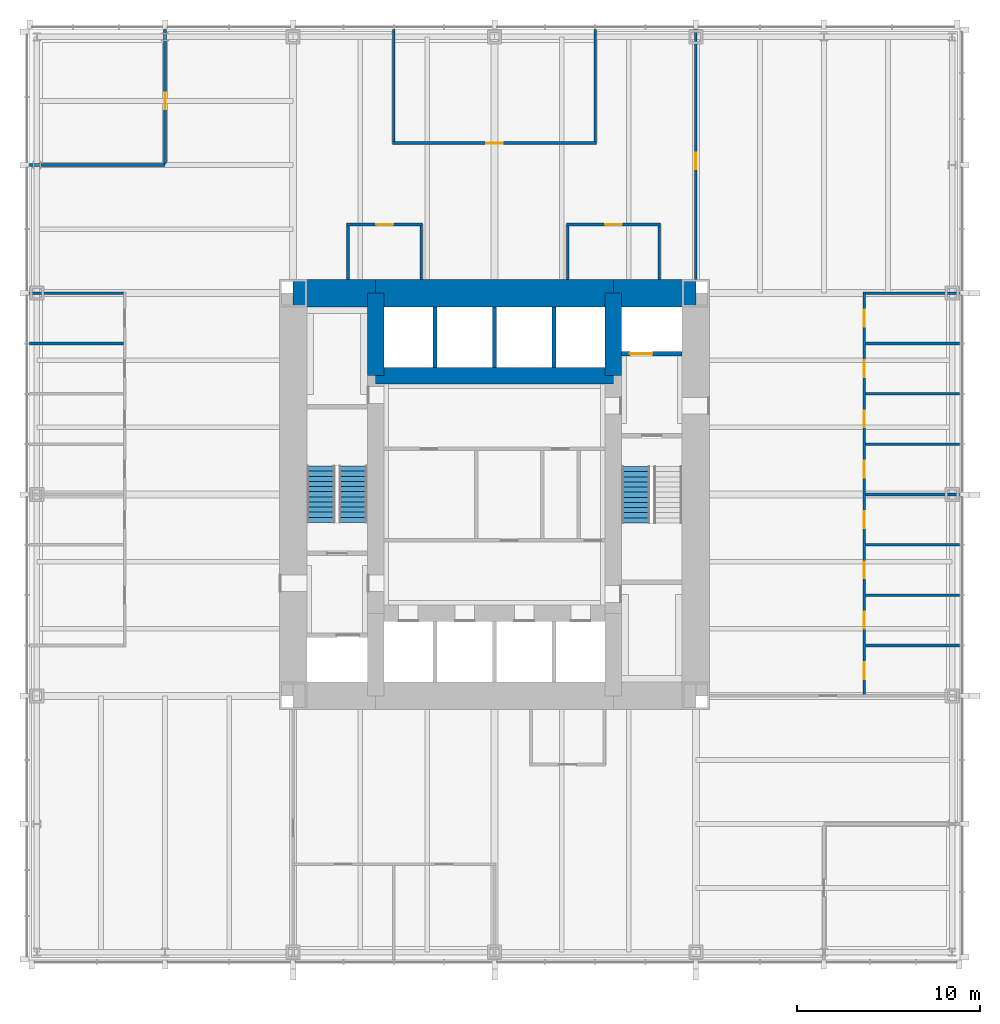
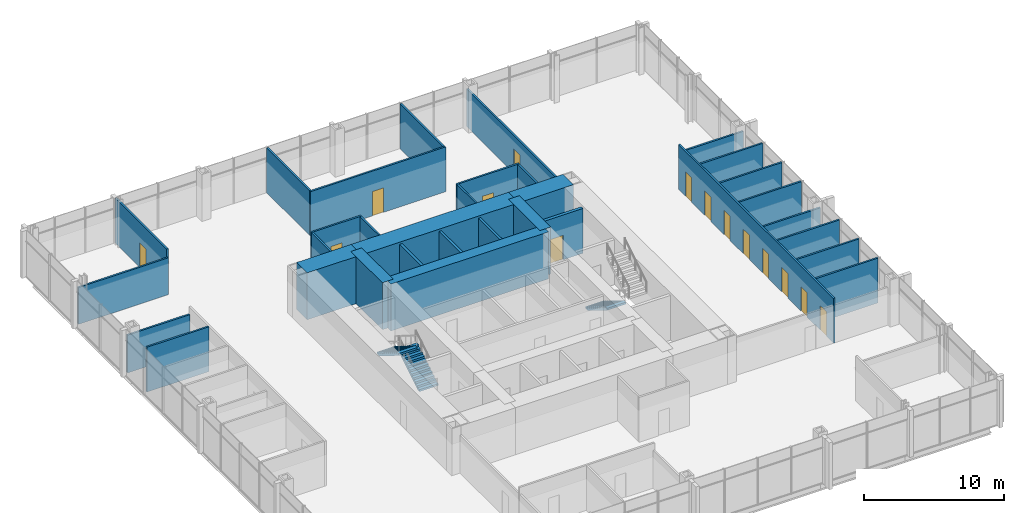
# One storey, part 11 of 13: 33 walls, 14 doors, 3 stair flights, 14 openings, 2 elements without a shape of their own.
"""IFC4 building model written with IfcOpenShell, lengths in metres."""

import ifcopenshell
import ifcopenshell.guid

model = None  # the IFC model being written
_history = None  # IfcOwnerHistory: only IFC2X3 demands one
_inside = {}  # id of a spatial element -> (the spatial element, [elements in it])
_under = {}  # id of a project, library or spatial element -> (it, [spatial elements below it])
_declared = {}  # id of a project -> (the project, [libraries it declares])
_typed = {}  # id of a type object -> (the type object, [elements of that type])
_made_of = {}  # id of a material, layer set ... -> (it, [elements and type objects made of it])


def new_model(schema):
    """Start an empty IFC model of exactly this schema.

    Asked for "IFC4X3", IfcOpenShell would pick the latest addendum, in which some entities
    have other attributes; the version numbers below select the first issue.
    IFC2X3 requires an IfcOwnerHistory on every rooted entity: one is made here for all.
    """
    global model, _history
    if schema == "IFC4X3":
        model = ifcopenshell.file(schema_version=(4, 3, 0, 0))
    else:
        model = ifcopenshell.file(schema=schema)
    _inside.clear()
    _under.clear()
    _declared.clear()
    _typed.clear()
    _made_of.clear()
    _history = None
    if model.schema == "IFC2X3":
        org = make("IfcOrganization", Name="unknown")
        user = make(
            "IfcPersonAndOrganization",
            ThePerson=make("IfcPerson", FamilyName="unknown"),
            TheOrganization=org,
        )
        app = make(
            "IfcApplication",
            ApplicationDeveloper=org,
            Version="unknown",
            ApplicationFullName="unknown",
            ApplicationIdentifier="unknown",
        )
        _history = make(
            "IfcOwnerHistory",
            OwningUser=user,
            OwningApplication=app,
            ChangeAction="ADDED",
            CreationDate=0,
        )
    return model


def make(cls, **values):
    """One entity of the class cls with the attributes given. An attribute that is None is left unset."""
    return model.create_entity(
        cls, **{name: value for name, value in values.items() if value is not None}
    )


def rooted(cls, **values):
    """An entity with a GlobalId (a new one), such as an element, a storey or a relation."""
    return make(cls, GlobalId=ifcopenshell.guid.new(), OwnerHistory=_history, **values)


def si_unit(unit_type, name, prefix=None):
    """IfcSIUnit, for example si_unit("LENGTHUNIT", "METRE", prefix="MILLI")."""
    return make("IfcSIUnit", UnitType=unit_type, Prefix=prefix, Name=name)


def assignment(units):
    """IfcUnitAssignment: the units of a project."""
    return None if units is None else make("IfcUnitAssignment", Units=units)


def point(xyz):
    """IfcCartesianPoint."""
    return None if xyz is None else make("IfcCartesianPoint", Coordinates=xyz)


def direction(xyz):
    """IfcDirection."""
    return None if xyz is None else make("IfcDirection", DirectionRatios=xyz)


def frame(location, z_axis=None, x_axis=None):
    """IfcAxis2Placement3D, a coordinate frame: its origin and axes. An axis left out is left unset."""
    return make(
        "IfcAxis2Placement3D",
        Location=point(location),
        Axis=direction(z_axis),
        RefDirection=direction(x_axis),
    )


def frame_2d(location, x_axis=None):
    """IfcAxis2Placement2D, a coordinate frame in the plane: its origin and x axis."""
    return make(
        "IfcAxis2Placement2D", Location=point(location), RefDirection=direction(x_axis)
    )


def origin():
    """The frame at (0, 0, 0) with its axes left unset."""
    return frame((0.0, 0.0, 0.0))


def place(relative_to, where):
    """IfcLocalPlacement: puts the frame where relative to a parent placement (None: the world)."""
    return make(
        "IfcLocalPlacement", PlacementRelTo=relative_to, RelativePlacement=where
    )


def context(
    kind, dimensions, precision=None, world=None, true_north=None, identifier=None
):
    """IfcGeometricRepresentationContext, for example the 3D "Model" context."""
    return make(
        "IfcGeometricRepresentationContext",
        ContextIdentifier=identifier,
        ContextType=kind,
        CoordinateSpaceDimension=dimensions,
        Precision=precision,
        WorldCoordinateSystem=world,
        TrueNorth=true_north,
    )


def subcontext(parent, identifier, kind, view, scale=None):
    """IfcGeometricRepresentationSubContext, for example "Body" below "Model"."""
    return make(
        "IfcGeometricRepresentationSubContext",
        ContextIdentifier=identifier,
        ContextType=kind,
        ParentContext=parent,
        TargetScale=scale,
        TargetView=view,
    )


def project(units=None, contexts=None):
    """IfcProject with its units and contexts."""
    return rooted(
        "IfcProject",
        Name="project",
        RepresentationContexts=contexts,
        UnitsInContext=assignment(units),
    )


def spatial(cls, under=None, at=None, **own):
    """A site, building, storey or space (cls), placed at a placement, below another one or the project."""
    s = rooted(cls, ObjectPlacement=at, **own)
    if under is not None:
        _under.setdefault(under.id(), (under, []))[1].append(s)
    return s


def polyline(points):
    """IfcPolyline through the points."""
    return make("IfcPolyline", Points=[point(p) for p in points])


def profile(cls, at=None, kind="AREA", **sizes):
    """A parametric profile (cls). Its sizes go by their IFC names, for example OverallWidth=200.0."""
    return make(cls, ProfileType=kind, Position=at, **sizes)


def rectangle(**sizes):
    """IfcRectangleProfileDef."""
    return profile("IfcRectangleProfileDef", **sizes)


def outline(outer, holes=None, kind="AREA"):
    """IfcArbitraryClosedProfileDef: a profile drawn as a closed curve; with holes, ...WithVoids."""
    if holes is None:
        return make("IfcArbitraryClosedProfileDef", ProfileType=kind, OuterCurve=outer)
    return make(
        "IfcArbitraryProfileDefWithVoids",
        ProfileType=kind,
        OuterCurve=outer,
        InnerCurves=holes,
    )


def extrude(swept, where, along, depth):
    """IfcExtrudedAreaSolid: the profile swept, set in the frame where, extruded along a direction by depth."""
    return make(
        "IfcExtrudedAreaSolid",
        SweptArea=swept,
        Position=where,
        ExtrudedDirection=direction(along),
        Depth=depth,
    )


def shape(context_of_items, identifier, shape_type, items):
    """IfcShapeRepresentation: the items that make up one representation, for example the "Body"."""
    return make(
        "IfcShapeRepresentation",
        ContextOfItems=context_of_items,
        RepresentationIdentifier=identifier,
        RepresentationType=shape_type,
        Items=items,
    )


def material(Name=None, Category=None):
    """IfcMaterial."""
    return make("IfcMaterial", Name=Name, Category=Category)


def layer(
    of_material, thickness, ventilated=None, Name=None, Category=None, Priority=None
):
    """IfcMaterialLayer: one layer of a wall or slab, of a material (None: an air gap)."""
    return make(
        "IfcMaterialLayer",
        Material=of_material,
        LayerThickness=thickness,
        IsVentilated=ventilated,
        Name=Name,
        Category=Category,
        Priority=Priority,
    )


def layer_set(layers, Name=None):
    """IfcMaterialLayerSet."""
    return make("IfcMaterialLayerSet", MaterialLayers=layers, LayerSetName=Name)


def made_of(thing, what):
    """Note that an element or type object is made of a material, layer set ...; save() writes the relation."""
    if what is not None:
        _made_of.setdefault(what.id(), (what, []))[1].append(thing)
    return thing


def type_object(cls, material=None, **own):
    """A type object (cls), such as IfcWallType, which elements share."""
    return made_of(rooted(cls, **own), material)


def element(
    cls,
    number,
    at=None,
    inside=None,
    cuts=None,
    type_object=None,
    material=None,
    context=None,
    identifier="Body",
    shape_type=None,
    held_by="IfcProductDefinitionShape",
    body=None,
    shapes=None,
    **own,
):
    """One element of the class cls, such as IfcWall. Its Tag is "e" and its number.

    at: its placement. inside: the storey or other place that contains it. cuts: it is an
    opening in that element (IfcRelVoidsElement). A single representation is given by context,
    identifier, shape_type and body (its items); several are given by shapes. held_by: the class
    of the entity that holds the representations. save() writes the other relations.
    """
    e = rooted(cls, Tag="e%d" % number, ObjectPlacement=at, **own)
    if body is not None:
        shapes = [shape(context, identifier, shape_type, body)]
    if shapes is not None:
        e.Representation = make(held_by, Representations=shapes)
    if inside is not None:
        _inside.setdefault(inside.id(), (inside, []))[1].append(e)
    if cuts is not None:
        rooted(
            "IfcRelVoidsElement", RelatingBuildingElement=cuts, RelatedOpeningElement=e
        )
    if type_object is not None:
        _typed.setdefault(type_object.id(), (type_object, []))[1].append(e)
    return made_of(e, material)


def fill(opening, filler):
    """IfcRelFillsElement: the door or window that sits in an opening."""
    return rooted(
        "IfcRelFillsElement",
        RelatingOpeningElement=opening,
        RelatedBuildingElement=filler,
    )


def aggregate(whole, parts):
    """IfcRelAggregates: a whole, such as a stair, and the parts it consists of."""
    return rooted("IfcRelAggregates", RelatingObject=whole, RelatedObjects=parts)


def save(model, path):
    """Write the relations noted so far, then the file.

    IfcRelAggregates (storeys below a building ...), IfcRelContainedInSpatialStructure (elements
    in a storey), IfcRelDefinesByType, IfcRelAssociatesMaterial and IfcRelDeclares: one each for
    every whole, place, type object, material and project.
    """
    for whole, parts in _under.values():
        aggregate(whole, parts)
    for where, things in _inside.values():
        rooted(
            "IfcRelContainedInSpatialStructure",
            RelatedElements=things,
            RelatingStructure=where,
        )
    for kind, things in _typed.values():
        rooted("IfcRelDefinesByType", RelatedObjects=things, RelatingType=kind)
    for what, things in _made_of.values():
        rooted("IfcRelAssociatesMaterial", RelatedObjects=things, RelatingMaterial=what)
    for by, libraries in _declared.values():
        rooted("IfcRelDeclares", RelatingContext=by, RelatedDefinitions=libraries)
    model.write(path)


model = new_model("IFC4")

# Units and contexts
model_context = context("Model", 3, precision=1e-05, world=origin(), true_north=direction((0.0, 1.0)))
body_context = subcontext(model_context, "Body", "Model", "MODEL_VIEW")
ifc_project = project(units=[si_unit("LENGTHUNIT", "METRE"), si_unit("AREAUNIT", "SQUARE_METRE"), si_unit("VOLUMEUNIT", "CUBIC_METRE"), si_unit("PLANEANGLEUNIT", "RADIAN"), si_unit("MASSUNIT", "GRAM", prefix="KILO")], contexts=[model_context])

# Site, building, storey
site_placement = place(None, origin())
site = spatial("IfcSite", under=ifc_project, at=site_placement, CompositionType="ELEMENT")
building_placement = place(site_placement, origin())
building = spatial("IfcBuilding", under=site, at=building_placement, Name="Trevanion Tower", CompositionType="ELEMENT")
storey_placement = place(building_placement, frame((0.0, 0.0, 85.699951171875)))
storey = spatial("IfcBuildingStorey", under=building, at=storey_placement, Name="L20", CompositionType="ELEMENT", Elevation=85.699951171875)

# Walls
ifc_material_1 = material(Name="Concrete 10,000 psi", Category="concrete")
ifc_layer_1 = layer(ifc_material_1, 1.5)
ifc_layer_set_1 = layer_set([ifc_layer_1], Name="CW1 core wall 1500")
wall_type_1 = type_object("IfcWallType", Name="CW1 core wall 1500", PredefinedType="SHEAR", material=ifc_layer_set_1)
wall_1_placement = place(storey_placement, frame((11.0, 11.0, 0.0), z_axis=(0.0, 0.0, 1.0), x_axis=(-1.0, 0.0, 0.0)))
element("IfcWall", 1, at=wall_1_placement, inside=storey, type_object=wall_type_1, Name="CW1 CN1 L20", PredefinedType="SHEAR", context=body_context, shape_type="SweptSolid", body=[
    extrude(rectangle(XDim=4.5, YDim=1.5, at=frame_2d((2.25, 0.0))), origin(), (0.0, 0.0, 1.0), 4.10009765625),
])
wall_2_placement = place(storey_placement, frame((6.5, 11.0, 0.0), z_axis=(0.0, 0.0, 1.0), x_axis=(-1.0, 0.0, 0.0)))
element("IfcWall", 2, at=wall_2_placement, inside=storey, type_object=wall_type_1, Name="CW1 CN2 L20", PredefinedType="SHEAR", context=body_context, shape_type="SweptSolid", body=[
    extrude(rectangle(XDim=13.0, YDim=1.5, at=frame_2d((6.5, 0.0))), origin(), (0.0, 0.0, 1.0), 4.10009765625),
])
wall_3_placement = place(storey_placement, frame((-6.5, 11.0, 0.0), z_axis=(0.0, 0.0, 1.0), x_axis=(-1.0, 0.0, 0.0)))
element("IfcWall", 3, at=wall_3_placement, inside=storey, type_object=wall_type_1, Name="CW1 CN3 L20", PredefinedType="SHEAR", context=body_context, shape_type="SweptSolid", body=[
    extrude(rectangle(XDim=4.5, YDim=1.5, at=frame_2d((2.25, 0.0))), origin(), (0.0, 0.0, 1.0), 4.10009765625),
])
ifc_material_2 = material(Name="Concrete 10,000 psi", Category="concrete")
ifc_layer_2 = layer(ifc_material_2, 0.89990234375)
ifc_layer_set_2 = layer_set([ifc_layer_2], Name="CW2 core wall 900")
wall_type_2 = type_object("IfcWallType", Name="CW2 core wall 900", PredefinedType="SHEAR", material=ifc_layer_set_2)
for number, where, z_axis, x_axis, name in (
    (4, (6.5, 6.5, 0.0), (0.0, 0.0, 1.0), (0.0, 1.0, 0.0), "CW2 RE3 L20"),
    (5, (-6.5, 11.0, 0.0), (0.0, 0.0, 1.0), (0.0, -1.0, 0.0), "CW2 RW1 L20"),
):
    element("IfcWall", number, at=place(storey_placement, frame(where, z_axis=z_axis, x_axis=x_axis)), inside=storey, type_object=wall_type_2, Name=name, PredefinedType="SHEAR", context=body_context, shape_type="SweptSolid", body=[
        extrude(rectangle(XDim=4.5, YDim=0.89990234375, at=frame_2d((2.25, 0.0))), origin(), (0.0, 0.0, 1.0), 4.10009765625),
    ])
wall_4_placement = place(storey_placement, frame((6.5, 6.5, 0.0), z_axis=(0.0, 0.0, 1.0), x_axis=(-1.0, 0.0, 0.0)))
element("IfcWall", 6, at=wall_4_placement, inside=storey, type_object=wall_type_2, Name="CW2 RN L20", PredefinedType="SHEAR", context=body_context, shape_type="SweptSolid", body=[
    extrude(rectangle(XDim=13.0, YDim=0.89990234375, at=frame_2d((6.5, 0.0))), origin(), (0.0, 0.0, 1.0), 4.10009765625),
])

# Wall, opening, door
ifc_material_3 = material(Name="Gypsum board on steel studs", Category="steel")
ifc_layer_3 = layer(ifc_material_3, 0.14990234375)
ifc_layer_set_3 = layer_set([ifc_layer_3], Name="PT1 partition 150")
wall_type_3 = type_object("IfcWallType", Name="PT1 partition 150", PredefinedType="PARTITIONING", material=ifc_layer_set_3)
wall_5_placement = place(storey_placement, frame((11.0, 11.75, 0.0), z_axis=(0.0, 0.0, 1.0), x_axis=(0.0, 1.0, 0.0)))
wall_5 = element("IfcWall", 7, at=wall_5_placement, inside=storey, type_object=wall_type_3, Name="PT1 L20 ZW0", PredefinedType="PARTITIONING", context=body_context, shape_type="SweptSolid", body=[
    extrude(rectangle(XDim=13.6650390625, YDim=0.14990234375, at=frame_2d((6.83251953125, 0.0))), origin(), (0.0, 0.0, 1.0), 3.300537109375),
])
opening_1_placement = place(wall_5_placement, frame((6.017578125, 0.0, 0.0)))
opening_1 = element("IfcOpeningElement", 8, at=opening_1_placement, cuts=wall_5, Name="Opening 20-019", PredefinedType="OPENING", context=body_context, shape_type="SweptSolid", body=[
    extrude(rectangle(XDim=0.9150390625, YDim=2.134033203125, at=frame_2d((0.45751953125, 1.06689453125))), frame((0.0, 0.0849609375, 0.0), z_axis=(0.0, -1.0, 0.0), x_axis=(1.0, 0.0, 0.0)), (0.0, 0.0, 1.0), 0.169921875),
])
ifc_material_4 = material(Name="Timber veneer, solid core", Category="wood")
door_type_1 = type_object("IfcDoorType", Name="D1 office and meeting room door", OperationType="SINGLE_SWING_LEFT", PredefinedType="DOOR", material=ifc_material_4)
door_1_placement = place(opening_1_placement, origin())
door_1 = element("IfcDoor", 9, at=door_1_placement, inside=storey, type_object=door_type_1, Name="Door 20-019", OperationType="SINGLE_SWING_LEFT", OverallHeight=2.134033203125, OverallWidth=0.9150390625, PredefinedType="DOOR", context=body_context, shape_type="SweptSolid", body=[
    extrude(rectangle(XDim=0.9150390625, YDim=2.134033203125, at=frame_2d((0.45751953125, 1.06689453125))), frame((0.0, 0.02490234375, 0.0), z_axis=(0.0, -1.0, 0.0), x_axis=(1.0, 0.0, 0.0)), (0.0, 0.0, 1.0), 0.050048828125),
])
fill(opening_1, door_1)

# Wall
wall_6_placement = place(storey_placement, frame((-18.0, 18.0, 0.0), z_axis=(0.0, 0.0, 1.0), x_axis=(-1.0, 0.0, 0.0)))
element("IfcWall", 10, at=wall_6_placement, inside=storey, type_object=wall_type_3, Name="PT1 L20 KW1a", PredefinedType="PARTITIONING", context=body_context, shape_type="SweptSolid", body=[
    extrude(rectangle(XDim=7.4150390625, YDim=0.14990234375, at=frame_2d((3.70751953125, 0.0))), origin(), (0.0, 0.0, 1.0), 3.214111328125),
])

# Wall, opening, door
wall_7_placement = place(storey_placement, frame((-18.0, 18.074951171875, 0.0), z_axis=(0.0, 0.0, 1.0), x_axis=(0.0, 1.0, 0.0)))
wall_7 = element("IfcWall", 11, at=wall_7_placement, inside=storey, type_object=wall_type_3, Name="PT1 L20 KW1b", PredefinedType="PARTITIONING", context=body_context, shape_type="SweptSolid", body=[
    extrude(rectangle(XDim=7.340087890625, YDim=0.14990234375, at=frame_2d((3.669921875, 0.0))), origin(), (0.0, 0.0, 1.0), 3.91015625),
])
opening_2_placement = place(wall_7_placement, frame((2.967529296875, 0.0, 0.0)))
opening_2 = element("IfcOpeningElement", 12, at=opening_2_placement, cuts=wall_7, Name="Opening 20-022", PredefinedType="OPENING", context=body_context, shape_type="SweptSolid", body=[
    extrude(rectangle(XDim=0.9150390625, YDim=2.134033203125, at=frame_2d((0.45751953125, 1.06689453125))), frame((0.0, 0.0849609375, 0.0), z_axis=(0.0, -1.0, 0.0), x_axis=(1.0, 0.0, 0.0)), (0.0, 0.0, 1.0), 0.169921875),
])
door_2_placement = place(opening_2_placement, origin())
door_2 = element("IfcDoor", 13, at=door_2_placement, inside=storey, type_object=door_type_1, Name="Door 20-022", OperationType="SINGLE_SWING_LEFT", OverallHeight=2.134033203125, OverallWidth=0.9150390625, PredefinedType="DOOR", context=body_context, shape_type="SweptSolid", body=[
    extrude(rectangle(XDim=0.9150390625, YDim=2.134033203125, at=frame_2d((0.45751953125, 1.06689453125))), frame((0.0, 0.02490234375, 0.0), z_axis=(0.0, -1.0, 0.0), x_axis=(1.0, 0.0, 0.0)), (0.0, 0.0, 1.0), 0.050048828125),
])
fill(opening_2, door_2)

# Wall, openings, doors
wall_8_placement = place(storey_placement, frame((20.199951171875, -11.074951171875, 0.0), z_axis=(0.0, 0.0, 1.0), x_axis=(0.0, 1.0, 0.0)))
wall_8 = element("IfcWall", 14, at=wall_8_placement, inside=storey, type_object=wall_type_3, Name="PT1 L20 FC0F", PredefinedType="PARTITIONING", context=body_context, shape_type="SweptSolid", body=[
    extrude(rectangle(XDim=22.14990234375, YDim=0.14990234375, at=frame_2d((11.074951171875, 0.0))), origin(), (0.0, 0.0, 1.0), 3.91015625),
])
opening_3_placement = place(wall_8_placement, frame((0.992431640625, 0.0, 0.0)))
opening_3 = element("IfcOpeningElement", 15, at=opening_3_placement, cuts=wall_8, Name="Opening 20-024", PredefinedType="OPENING", context=body_context, shape_type="SweptSolid", body=[
    extrude(rectangle(XDim=0.9150390625, YDim=2.134033203125, at=frame_2d((0.45751953125, 1.06689453125))), frame((0.0, 0.0849609375, 0.0), z_axis=(0.0, -1.0, 0.0), x_axis=(1.0, 0.0, 0.0)), (0.0, 0.0, 1.0), 0.169921875),
])
opening_4_placement = place(wall_8_placement, frame((3.742431640625, 0.0, 0.0)))
opening_4 = element("IfcOpeningElement", 16, at=opening_4_placement, cuts=wall_8, Name="Opening 20-025", PredefinedType="OPENING", context=body_context, shape_type="SweptSolid", body=[
    extrude(rectangle(XDim=0.9150390625, YDim=2.134033203125, at=frame_2d((0.45751953125, 1.06689453125))), frame((0.0, 0.0849609375, 0.0), z_axis=(0.0, -1.0, 0.0), x_axis=(1.0, 0.0, 0.0)), (0.0, 0.0, 1.0), 0.169921875),
])
opening_5_placement = place(wall_8_placement, frame((6.492431640625, 0.0, 0.0)))
opening_5 = element("IfcOpeningElement", 17, at=opening_5_placement, cuts=wall_8, Name="Opening 20-026", PredefinedType="OPENING", context=body_context, shape_type="SweptSolid", body=[
    extrude(rectangle(XDim=0.9150390625, YDim=2.134033203125, at=frame_2d((0.45751953125, 1.06689453125))), frame((0.0, 0.0849609375, 0.0), z_axis=(0.0, -1.0, 0.0), x_axis=(1.0, 0.0, 0.0)), (0.0, 0.0, 1.0), 0.169921875),
])
opening_6_placement = place(wall_8_placement, frame((9.242431640625, 0.0, 0.0)))
opening_6 = element("IfcOpeningElement", 18, at=opening_6_placement, cuts=wall_8, Name="Opening 20-027", PredefinedType="OPENING", context=body_context, shape_type="SweptSolid", body=[
    extrude(rectangle(XDim=0.9150390625, YDim=2.134033203125, at=frame_2d((0.45751953125, 1.06689453125))), frame((0.0, 0.0849609375, 0.0), z_axis=(0.0, -1.0, 0.0), x_axis=(1.0, 0.0, 0.0)), (0.0, 0.0, 1.0), 0.169921875),
])
opening_7_placement = place(wall_8_placement, frame((11.992431640625, 0.0, 0.0)))
opening_7 = element("IfcOpeningElement", 19, at=opening_7_placement, cuts=wall_8, Name="Opening 20-028", PredefinedType="OPENING", context=body_context, shape_type="SweptSolid", body=[
    extrude(rectangle(XDim=0.9150390625, YDim=2.134033203125, at=frame_2d((0.45751953125, 1.06689453125))), frame((0.0, 0.0849609375, 0.0), z_axis=(0.0, -1.0, 0.0), x_axis=(1.0, 0.0, 0.0)), (0.0, 0.0, 1.0), 0.169921875),
])
opening_8_placement = place(wall_8_placement, frame((14.742431640625, 0.0, 0.0)))
opening_8 = element("IfcOpeningElement", 20, at=opening_8_placement, cuts=wall_8, Name="Opening 20-029", PredefinedType="OPENING", context=body_context, shape_type="SweptSolid", body=[
    extrude(rectangle(XDim=0.9150390625, YDim=2.134033203125, at=frame_2d((0.45751953125, 1.06689453125))), frame((0.0, 0.0849609375, 0.0), z_axis=(0.0, -1.0, 0.0), x_axis=(1.0, 0.0, 0.0)), (0.0, 0.0, 1.0), 0.169921875),
])
opening_9_placement = place(wall_8_placement, frame((17.492431640625, 0.0, 0.0)))
opening_9 = element("IfcOpeningElement", 21, at=opening_9_placement, cuts=wall_8, Name="Opening 20-030", PredefinedType="OPENING", context=body_context, shape_type="SweptSolid", body=[
    extrude(rectangle(XDim=0.9150390625, YDim=2.134033203125, at=frame_2d((0.45751953125, 1.06689453125))), frame((0.0, 0.0849609375, 0.0), z_axis=(0.0, -1.0, 0.0), x_axis=(1.0, 0.0, 0.0)), (0.0, 0.0, 1.0), 0.169921875),
])
opening_10_placement = place(wall_8_placement, frame((20.242431640625, 0.0, 0.0)))
opening_10 = element("IfcOpeningElement", 22, at=opening_10_placement, cuts=wall_8, Name="Opening 20-031", PredefinedType="OPENING", context=body_context, shape_type="SweptSolid", body=[
    extrude(rectangle(XDim=0.9150390625, YDim=2.134033203125, at=frame_2d((0.45751953125, 1.06689453125))), frame((0.0, 0.0849609375, 0.0), z_axis=(0.0, -1.0, 0.0), x_axis=(1.0, 0.0, 0.0)), (0.0, 0.0, 1.0), 0.169921875),
])
door_3_placement = place(opening_3_placement, origin())
door_3 = element("IfcDoor", 23, at=door_3_placement, inside=storey, type_object=door_type_1, Name="Door 20-024", OperationType="SINGLE_SWING_LEFT", OverallHeight=2.134033203125, OverallWidth=0.9150390625, PredefinedType="DOOR", context=body_context, shape_type="SweptSolid", body=[
    extrude(rectangle(XDim=0.9150390625, YDim=2.134033203125, at=frame_2d((0.45751953125, 1.06689453125))), frame((0.0, 0.02490234375, 0.0), z_axis=(0.0, -1.0, 0.0), x_axis=(1.0, 0.0, 0.0)), (0.0, 0.0, 1.0), 0.050048828125),
])
fill(opening_3, door_3)
door_4_placement = place(opening_4_placement, origin())
door_4 = element("IfcDoor", 24, at=door_4_placement, inside=storey, type_object=door_type_1, Name="Door 20-025", OperationType="SINGLE_SWING_LEFT", OverallHeight=2.134033203125, OverallWidth=0.9150390625, PredefinedType="DOOR", context=body_context, shape_type="SweptSolid", body=[
    extrude(rectangle(XDim=0.9150390625, YDim=2.134033203125, at=frame_2d((0.45751953125, 1.06689453125))), frame((0.0, 0.02490234375, 0.0), z_axis=(0.0, -1.0, 0.0), x_axis=(1.0, 0.0, 0.0)), (0.0, 0.0, 1.0), 0.050048828125),
])
fill(opening_4, door_4)
door_5_placement = place(opening_5_placement, origin())
door_5 = element("IfcDoor", 25, at=door_5_placement, inside=storey, type_object=door_type_1, Name="Door 20-026", OperationType="SINGLE_SWING_LEFT", OverallHeight=2.134033203125, OverallWidth=0.9150390625, PredefinedType="DOOR", context=body_context, shape_type="SweptSolid", body=[
    extrude(rectangle(XDim=0.9150390625, YDim=2.134033203125, at=frame_2d((0.45751953125, 1.06689453125))), frame((0.0, 0.02490234375, 0.0), z_axis=(0.0, -1.0, 0.0), x_axis=(1.0, 0.0, 0.0)), (0.0, 0.0, 1.0), 0.050048828125),
])
fill(opening_5, door_5)
door_6_placement = place(opening_6_placement, origin())
door_6 = element("IfcDoor", 26, at=door_6_placement, inside=storey, type_object=door_type_1, Name="Door 20-027", OperationType="SINGLE_SWING_LEFT", OverallHeight=2.134033203125, OverallWidth=0.9150390625, PredefinedType="DOOR", context=body_context, shape_type="SweptSolid", body=[
    extrude(rectangle(XDim=0.9150390625, YDim=2.134033203125, at=frame_2d((0.45751953125, 1.06689453125))), frame((0.0, 0.02490234375, 0.0), z_axis=(0.0, -1.0, 0.0), x_axis=(1.0, 0.0, 0.0)), (0.0, 0.0, 1.0), 0.050048828125),
])
fill(opening_6, door_6)
door_7_placement = place(opening_7_placement, origin())
door_7 = element("IfcDoor", 27, at=door_7_placement, inside=storey, type_object=door_type_1, Name="Door 20-028", OperationType="SINGLE_SWING_LEFT", OverallHeight=2.134033203125, OverallWidth=0.9150390625, PredefinedType="DOOR", context=body_context, shape_type="SweptSolid", body=[
    extrude(rectangle(XDim=0.9150390625, YDim=2.134033203125, at=frame_2d((0.45751953125, 1.06689453125))), frame((0.0, 0.02490234375, 0.0), z_axis=(0.0, -1.0, 0.0), x_axis=(1.0, 0.0, 0.0)), (0.0, 0.0, 1.0), 0.050048828125),
])
fill(opening_7, door_7)
door_8_placement = place(opening_8_placement, origin())
door_8 = element("IfcDoor", 28, at=door_8_placement, inside=storey, type_object=door_type_1, Name="Door 20-029", OperationType="SINGLE_SWING_LEFT", OverallHeight=2.134033203125, OverallWidth=0.9150390625, PredefinedType="DOOR", context=body_context, shape_type="SweptSolid", body=[
    extrude(rectangle(XDim=0.9150390625, YDim=2.134033203125, at=frame_2d((0.45751953125, 1.06689453125))), frame((0.0, 0.02490234375, 0.0), z_axis=(0.0, -1.0, 0.0), x_axis=(1.0, 0.0, 0.0)), (0.0, 0.0, 1.0), 0.050048828125),
])
fill(opening_8, door_8)
door_9_placement = place(opening_9_placement, origin())
door_9 = element("IfcDoor", 29, at=door_9_placement, inside=storey, type_object=door_type_1, Name="Door 20-030", OperationType="SINGLE_SWING_LEFT", OverallHeight=2.134033203125, OverallWidth=0.9150390625, PredefinedType="DOOR", context=body_context, shape_type="SweptSolid", body=[
    extrude(rectangle(XDim=0.9150390625, YDim=2.134033203125, at=frame_2d((0.45751953125, 1.06689453125))), frame((0.0, 0.02490234375, 0.0), z_axis=(0.0, -1.0, 0.0), x_axis=(1.0, 0.0, 0.0)), (0.0, 0.0, 1.0), 0.050048828125),
])
fill(opening_9, door_9)
door_10_placement = place(opening_10_placement, origin())
door_10 = element("IfcDoor", 30, at=door_10_placement, inside=storey, type_object=door_type_1, Name="Door 20-031", OperationType="SINGLE_SWING_LEFT", OverallHeight=2.134033203125, OverallWidth=0.9150390625, PredefinedType="DOOR", context=body_context, shape_type="SweptSolid", body=[
    extrude(rectangle(XDim=0.9150390625, YDim=2.134033203125, at=frame_2d((0.45751953125, 1.06689453125))), frame((0.0, 0.02490234375, 0.0), z_axis=(0.0, -1.0, 0.0), x_axis=(1.0, 0.0, 0.0)), (0.0, 0.0, 1.0), 0.050048828125),
])
fill(opening_10, door_10)

# Walls
for number, where, z_axis, x_axis, name in (
    (31, (20.27490234375, -8.25, 0.0), (0.0, 0.0, 1.0), (1.0, 0.0, 0.0), "PT1 L20 FC0S1"),
    (32, (20.27490234375, -5.5, 0.0), (0.0, 0.0, 1.0), (1.0, 0.0, 0.0), "PT1 L20 FC0S2"),
    (33, (20.27490234375, -2.75, 0.0), (0.0, 0.0, 1.0), (1.0, 0.0, 0.0), "PT1 L20 FC0S3"),
):
    element("IfcWall", number, at=place(storey_placement, frame(where, z_axis=z_axis, x_axis=x_axis)), inside=storey, type_object=wall_type_3, Name=name, PredefinedType="PARTITIONING", context=body_context, shape_type="SweptSolid", body=[
        extrude(rectangle(XDim=5.14013671875, YDim=0.14990234375, at=frame_2d((2.570068359375, 0.0))), origin(), (0.0, 0.0, 1.0), 3.91015625),
    ])
wall_9_placement = place(storey_placement, frame((20.27490234375, 0.0, 0.0), z_axis=(0.0, 0.0, 1.0), x_axis=(1.0, 0.0, 0.0)))
element("IfcWall", 34, at=wall_9_placement, inside=storey, type_object=wall_type_3, Name="PT1 L20 FC0S4", PredefinedType="PARTITIONING", context=body_context, shape_type="SweptSolid", body=[
    extrude(rectangle(XDim=5.14013671875, YDim=0.14990234375, at=frame_2d((2.570068359375, 0.0))), origin(), (0.0, 0.0, 1.0), 3.300537109375),
])
for number, where, z_axis, x_axis, name in (
    (35, (20.27490234375, 2.75, 0.0), (0.0, 0.0, 1.0), (1.0, 0.0, 0.0), "PT1 L20 FC0S5"),
    (36, (20.27490234375, 5.5, 0.0), (0.0, 0.0, 1.0), (1.0, 0.0, 0.0), "PT1 L20 FC0S6"),
    (37, (20.27490234375, 8.25, 0.0), (0.0, 0.0, 1.0), (1.0, 0.0, 0.0), "PT1 L20 FC0S7"),
):
    element("IfcWall", number, at=place(storey_placement, frame(where, z_axis=z_axis, x_axis=x_axis)), inside=storey, type_object=wall_type_3, Name=name, PredefinedType="PARTITIONING", context=body_context, shape_type="SweptSolid", body=[
        extrude(rectangle(XDim=5.14013671875, YDim=0.14990234375, at=frame_2d((2.570068359375, 0.0))), origin(), (0.0, 0.0, 1.0), 3.91015625),
    ])
for number, where, z_axis, x_axis, name in (
    (38, (20.27490234375, 11.0, 0.0), (0.0, 0.0, 1.0), (1.0, 0.0, 0.0), "PT1 L20 FC0S8"),
    (39, (-20.27490234375, 11.0, 0.0), (0.0, 0.0, 1.0), (-1.0, 0.0, 0.0), "PT1 L20 FC2S0"),
):
    element("IfcWall", number, at=place(storey_placement, frame(where, z_axis=z_axis, x_axis=x_axis)), inside=storey, type_object=wall_type_3, Name=name, PredefinedType="PARTITIONING", context=body_context, shape_type="SweptSolid", body=[
        extrude(rectangle(XDim=5.14013671875, YDim=0.14990234375, at=frame_2d((2.570068359375, 0.0))), origin(), (0.0, 0.0, 1.0), 3.300537109375),
    ])
wall_10_placement = place(storey_placement, frame((-20.27490234375, 8.25, 0.0), z_axis=(0.0, 0.0, 1.0), x_axis=(-1.0, 0.0, 0.0)))
element("IfcWall", 40, at=wall_10_placement, inside=storey, type_object=wall_type_3, Name="PT1 L20 FC2S1", PredefinedType="PARTITIONING", context=body_context, shape_type="SweptSolid", body=[
    extrude(rectangle(XDim=5.14013671875, YDim=0.14990234375, at=frame_2d((2.570068359375, 0.0))), origin(), (0.0, 0.0, 1.0), 3.91015625),
])

# Wall, opening, door
wall_11_placement = place(storey_placement, frame((5.574951171875, 19.199951171875, 0.0), z_axis=(0.0, 0.0, 1.0), x_axis=(-1.0, 0.0, 0.0)))
wall_11 = element("IfcWall", 41, at=wall_11_placement, inside=storey, type_object=wall_type_3, Name="PT1 L20 FC1F", PredefinedType="PARTITIONING", context=body_context, shape_type="SweptSolid", body=[
    extrude(rectangle(XDim=11.14990234375, YDim=0.14990234375, at=frame_2d((5.574951171875, 0.0))), origin(), (0.0, 0.0, 1.0), 3.91015625),
])
opening_11_placement = place(wall_11_placement, frame((5.117431640625, 0.0, 0.0)))
opening_11 = element("IfcOpeningElement", 42, at=opening_11_placement, cuts=wall_11, Name="Opening 20-038", PredefinedType="OPENING", context=body_context, shape_type="SweptSolid", body=[
    extrude(rectangle(XDim=0.9150390625, YDim=2.134033203125, at=frame_2d((0.45751953125, 1.06689453125))), frame((0.0, 0.0849609375, 0.0), z_axis=(0.0, -1.0, 0.0), x_axis=(1.0, 0.0, 0.0)), (0.0, 0.0, 1.0), 0.169921875),
])
door_11_placement = place(opening_11_placement, origin())
door_11 = element("IfcDoor", 43, at=door_11_placement, inside=storey, type_object=door_type_1, Name="Door 20-038", OperationType="SINGLE_SWING_LEFT", OverallHeight=2.134033203125, OverallWidth=0.9150390625, PredefinedType="DOOR", context=body_context, shape_type="SweptSolid", body=[
    extrude(rectangle(XDim=0.9150390625, YDim=2.134033203125, at=frame_2d((0.45751953125, 1.06689453125))), frame((0.0, 0.02490234375, 0.0), z_axis=(0.0, -1.0, 0.0), x_axis=(1.0, 0.0, 0.0)), (0.0, 0.0, 1.0), 0.050048828125),
])
fill(opening_11, door_11)

# Walls
for number, where, z_axis, x_axis, name in (
    (44, (5.5, 19.27490234375, 0.0), (0.0, 0.0, 1.0), (0.0, 1.0, 0.0), "PT1 L20 FC1S0"),
    (45, (-5.5, 19.27490234375, 0.0), (0.0, 0.0, 1.0), (0.0, 1.0, 0.0), "PT1 L20 FC1S4"),
):
    element("IfcWall", number, at=place(storey_placement, frame(where, z_axis=z_axis, x_axis=x_axis)), inside=storey, type_object=wall_type_3, Name=name, PredefinedType="PARTITIONING", context=body_context, shape_type="SweptSolid", body=[
        extrude(rectangle(XDim=6.14013671875, YDim=0.14990234375, at=frame_2d((3.070068359375, 0.0))), origin(), (0.0, 0.0, 1.0), 3.91015625),
    ])

# Wall, opening, door
wall_12_placement = place(storey_placement, frame((9.074951171875, 14.75, 0.0), z_axis=(0.0, 0.0, 1.0), x_axis=(-1.0, 0.0, 0.0)))
wall_12 = element("IfcWall", 46, at=wall_12_placement, inside=storey, type_object=wall_type_3, Name="PT1 L20 IN10F", PredefinedType="PARTITIONING", context=body_context, shape_type="SweptSolid", body=[
    extrude(rectangle(XDim=5.14990234375, YDim=0.14990234375, at=frame_2d((2.574951171875, 0.0))), origin(), (0.0, 0.0, 1.0), 3.91015625),
])
opening_12_placement = place(wall_12_placement, frame((2.117431640625, 0.0, 0.0)))
opening_12 = element("IfcOpeningElement", 47, at=opening_12_placement, cuts=wall_12, Name="Opening 20-041", PredefinedType="OPENING", context=body_context, shape_type="SweptSolid", body=[
    extrude(rectangle(XDim=0.9150390625, YDim=2.134033203125, at=frame_2d((0.45751953125, 1.06689453125))), frame((0.0, 0.0849609375, 0.0), z_axis=(0.0, -1.0, 0.0), x_axis=(1.0, 0.0, 0.0)), (0.0, 0.0, 1.0), 0.169921875),
])
door_12_placement = place(opening_12_placement, origin())
door_12 = element("IfcDoor", 48, at=door_12_placement, inside=storey, type_object=door_type_1, Name="Door 20-041", OperationType="SINGLE_SWING_LEFT", OverallHeight=2.134033203125, OverallWidth=0.9150390625, PredefinedType="DOOR", context=body_context, shape_type="SweptSolid", body=[
    extrude(rectangle(XDim=0.9150390625, YDim=2.134033203125, at=frame_2d((0.45751953125, 1.06689453125))), frame((0.0, 0.02490234375, 0.0), z_axis=(0.0, -1.0, 0.0), x_axis=(1.0, 0.0, 0.0)), (0.0, 0.0, 1.0), 0.050048828125),
])
fill(opening_12, door_12)

# Walls
for number, where, z_axis, x_axis, name in (
    (49, (9.0, 14.675048828125, 0.0), (0.0, 0.0, 1.0), (0.0, -1.0, 0.0), "PT1 L20 IN10S0"),
    (50, (4.0, 14.675048828125, 0.0), (0.0, 0.0, 1.0), (0.0, -1.0, 0.0), "PT1 L20 IN10S1"),
):
    element("IfcWall", number, at=place(storey_placement, frame(where, z_axis=z_axis, x_axis=x_axis)), inside=storey, type_object=wall_type_3, Name=name, PredefinedType="PARTITIONING", context=body_context, shape_type="SweptSolid", body=[
        extrude(rectangle(XDim=2.925048828125, YDim=0.14990234375, at=frame_2d((1.46240234375, 0.0))), origin(), (0.0, 0.0, 1.0), 3.91015625),
    ])

# Wall, opening, door
wall_13_placement = place(storey_placement, frame((-3.925048828125, 14.75, 0.0), z_axis=(0.0, 0.0, 1.0), x_axis=(-1.0, 0.0, 0.0)))
wall_13 = element("IfcWall", 51, at=wall_13_placement, inside=storey, type_object=wall_type_3, Name="PT1 L20 IN11F", PredefinedType="PARTITIONING", context=body_context, shape_type="SweptSolid", body=[
    extrude(rectangle(XDim=4.14990234375, YDim=0.14990234375, at=frame_2d((2.074951171875, 0.0))), origin(), (0.0, 0.0, 1.0), 3.91015625),
])
opening_13_placement = place(wall_13_placement, frame((1.617431640625, 0.0, 0.0)))
opening_13 = element("IfcOpeningElement", 52, at=opening_13_placement, cuts=wall_13, Name="Opening 20-042", PredefinedType="OPENING", context=body_context, shape_type="SweptSolid", body=[
    extrude(rectangle(XDim=0.9150390625, YDim=2.134033203125, at=frame_2d((0.45751953125, 1.06689453125))), frame((0.0, 0.0849609375, 0.0), z_axis=(0.0, -1.0, 0.0), x_axis=(1.0, 0.0, 0.0)), (0.0, 0.0, 1.0), 0.169921875),
])
door_13_placement = place(opening_13_placement, origin())
door_13 = element("IfcDoor", 53, at=door_13_placement, inside=storey, type_object=door_type_1, Name="Door 20-042", OperationType="SINGLE_SWING_LEFT", OverallHeight=2.134033203125, OverallWidth=0.9150390625, PredefinedType="DOOR", context=body_context, shape_type="SweptSolid", body=[
    extrude(rectangle(XDim=0.9150390625, YDim=2.134033203125, at=frame_2d((0.45751953125, 1.06689453125))), frame((0.0, 0.02490234375, 0.0), z_axis=(0.0, -1.0, 0.0), x_axis=(1.0, 0.0, 0.0)), (0.0, 0.0, 1.0), 0.050048828125),
])
fill(opening_13, door_13)

# Walls
for number, where, z_axis, x_axis, name in (
    (54, (-4.0, 14.675048828125, 0.0), (0.0, 0.0, 1.0), (0.0, -1.0, 0.0), "PT1 L20 IN11S0"),
    (55, (-8.0, 14.675048828125, 0.0), (0.0, 0.0, 1.0), (0.0, -1.0, 0.0), "PT1 L20 IN11S1"),
):
    element("IfcWall", number, at=place(storey_placement, frame(where, z_axis=z_axis, x_axis=x_axis)), inside=storey, type_object=wall_type_3, Name=name, PredefinedType="PARTITIONING", context=body_context, shape_type="SweptSolid", body=[
        extrude(rectangle(XDim=2.925048828125, YDim=0.14990234375, at=frame_2d((1.46240234375, 0.0))), origin(), (0.0, 0.0, 1.0), 3.91015625),
    ])
ifc_material_5 = material(Name="Concrete masonry, grouted", Category="masonry")
ifc_layer_4 = layer(ifc_material_5, 0.199951171875)
ifc_layer_set_4 = layer_set([ifc_layer_4], Name="PT2 partition 200 2 HR")
wall_type_4 = type_object("IfcWallType", Name="PT2 partition 200 2 HR", PredefinedType="PARTITIONING", material=ifc_layer_set_4)
for number, where, z_axis, x_axis, name in (
    (56, (-3.25, 6.949951171875, 0.0), (0.0, 0.0, 1.0), (0.0, 1.0, 0.0), "PT2 L20 NS0"),
    (57, (0.0, 6.949951171875, 0.0), (0.0, 0.0, 1.0), (0.0, 1.0, 0.0), "PT2 L20 NS1"),
    (58, (3.25, 6.949951171875, 0.0), (0.0, 0.0, 1.0), (0.0, 1.0, 0.0), "PT2 L20 NS2"),
):
    element("IfcWall", number, at=place(storey_placement, frame(where, z_axis=z_axis, x_axis=x_axis)), inside=storey, type_object=wall_type_4, Name=name, PredefinedType="PARTITIONING", context=body_context, shape_type="SweptSolid", body=[
        extrude(rectangle(XDim=3.300048828125, YDim=0.199951171875, at=frame_2d((1.64990234375, 0.0))), origin(), (0.0, 0.0, 1.0), 3.91015625),
    ])

# Wall, opening, door
ifc_material_6 = material(Name="Concrete masonry, grouted, two-hour", Category="masonry")
ifc_layer_5 = layer(ifc_material_6, 0.25)
ifc_layer_set_5 = layer_set([ifc_layer_5], Name="PT3 partition 250 2 HR")
wall_type_5 = type_object("IfcWallType", Name="PT3 partition 250 2 HR", PredefinedType="PARTITIONING", material=ifc_layer_set_5)
wall_14_placement = place(storey_placement, frame((6.949951171875, 7.699951171875, 0.0), z_axis=(0.0, 0.0, 1.0), x_axis=(1.0, 0.0, 0.0)))
wall_14 = element("IfcWall", 59, at=wall_14_placement, inside=storey, type_object=wall_type_5, Name="PT3 L20 EP3", PredefinedType="PARTITIONING", context=body_context, shape_type="SweptSolid", body=[
    extrude(rectangle(XDim=3.300048828125, YDim=0.25, at=frame_2d((1.64990234375, 0.0))), origin(), (0.0, 0.0, 1.0), 3.91015625),
])
opening_14_placement = place(wall_14_placement, frame((0.449951171875, 0.0, 0.0)))
opening_14 = element("IfcOpeningElement", 60, at=opening_14_placement, cuts=wall_14, Name="Opening 20-007", PredefinedType="OPENING", context=body_context, shape_type="SweptSolid", body=[
    extrude(rectangle(XDim=1.218994140625, YDim=2.134033203125, at=frame_2d((0.609375, 1.06689453125))), frame((0.0, 0.135009765625, 0.0), z_axis=(0.0, -1.0, 0.0), x_axis=(1.0, 0.0, 0.0)), (0.0, 0.0, 1.0), 0.27001953125),
])
ifc_material_7 = material(Name="Stainless steel, fire rated", Category="steel")
door_type_2 = type_object("IfcDoorType", Name="LD2 fire service lift landing door", OperationType="SLIDING_TO_LEFT", PredefinedType="DOOR", material=ifc_material_7)
door_14_placement = place(opening_14_placement, origin())
door_14 = element("IfcDoor", 61, at=door_14_placement, inside=storey, type_object=door_type_2, Name="Door 20-007", OperationType="SLIDING_TO_LEFT", OverallHeight=2.134033203125, OverallWidth=1.218994140625, PredefinedType="DOOR", context=body_context, shape_type="SweptSolid", body=[
    extrude(rectangle(XDim=1.218994140625, YDim=2.134033203125, at=frame_2d((0.609375, 1.06689453125))), frame((0.0, 0.02490234375, 0.0), z_axis=(0.0, -1.0, 0.0), x_axis=(1.0, 0.0, 0.0)), (0.0, 0.0, 1.0), 0.050048828125),
])
fill(opening_14, door_14)

# Stair, stair flight
ifc_material_8 = material(Name="Concrete 5,000 psi on steel stringers", Category="concrete")
stair_type = type_object("IfcStairType", Name="ST stair", PredefinedType="HALF_TURN_STAIR", material=ifc_material_8)
stair_1_placement = place(storey_placement, origin())
stair_1 = element("IfcStair", 62, at=stair_1_placement, inside=storey, type_object=stair_type, Name="ST1 L20", PredefinedType="HALF_TURN_STAIR")
ifc_material_9 = material(Name="Concrete 5,000 psi in steel pan", Category="concrete")
stair_flight_type = type_object("IfcStairFlightType", Name="STF stair flight", PredefinedType="STRAIGHT", material=ifc_material_9)
stair_flight_1_placement = place(storey_placement, frame((7.72509765625, 1.52490234375, 0.0), z_axis=(0.0, 0.0, 1.0), x_axis=(0.0, -1.0, 0.0)))
stair_flight_1 = element("IfcStairFlight", 63, at=stair_flight_1_placement, type_object=stair_flight_type, Name="ST1 flight 1", NumberOfRisers=12, NumberOfTreads=11, PredefinedType="STRAIGHT", RiserHeight=0.170833333, TreadLength=0.28, context=body_context, shape_type="SweptSolid", body=[
    extrude(outline(polyline([(0.0, 0.0), (0.0, 0.1708984375), (0.280029296875, 0.1708984375), (0.280029296875, 0.341552734375), (0.56005859375, 0.341552734375), (0.56005859375, 0.512451171875), (0.840087890625, 0.512451171875), (0.840087890625, 0.683349609375), (1.1201171875, 0.683349609375), (1.1201171875, 0.854248046875), (1.39990234375, 0.854248046875), (1.39990234375, 1.02490234375), (1.679931640625, 1.02490234375), (1.679931640625, 1.19580078125), (1.9599609375, 1.19580078125), (1.9599609375, 1.36669921875), (2.239990234375, 1.36669921875), (2.239990234375, 1.53759765625), (2.52001953125, 1.53759765625), (2.52001953125, 1.708251953125), (2.800048828125, 1.708251953125), (2.800048828125, 1.879150390625), (3.080078125, 1.879150390625), (3.080078125, 2.050048828125), (3.080078125, 1.70361328125), (0.287841796875, 0.0), (0.0, 0.0)])), frame((0.0, 0.77490234375, 0.0), z_axis=(0.0, -1.0, 0.0), x_axis=(1.0, 0.0, 0.0)), (0.0, 0.0, 1.0), 1.550048828125),
])
aggregate(stair_1, [stair_flight_1])

# Stair, stair flights
stair_2_placement = place(storey_placement, origin())
stair_2 = element("IfcStair", 64, at=stair_2_placement, inside=storey, type_object=stair_type, Name="ST2 L20", PredefinedType="HALF_TURN_STAIR")
stair_flight_2_placement = place(storey_placement, frame((-7.72509765625, -1.52490234375, 0.0), z_axis=(0.0, 0.0, 1.0), x_axis=(0.0, 1.0, 0.0)))
stair_flight_2 = element("IfcStairFlight", 65, at=stair_flight_2_placement, type_object=stair_flight_type, Name="ST2 flight 1", NumberOfRisers=12, NumberOfTreads=11, PredefinedType="STRAIGHT", RiserHeight=0.170833333, TreadLength=0.28, context=body_context, shape_type="SweptSolid", body=[
    extrude(outline(polyline([(0.0, 0.0), (0.0, 0.1708984375), (0.280029296875, 0.1708984375), (0.280029296875, 0.341552734375), (0.56005859375, 0.341552734375), (0.56005859375, 0.512451171875), (0.840087890625, 0.512451171875), (0.840087890625, 0.683349609375), (1.1201171875, 0.683349609375), (1.1201171875, 0.854248046875), (1.39990234375, 0.854248046875), (1.39990234375, 1.02490234375), (1.679931640625, 1.02490234375), (1.679931640625, 1.19580078125), (1.9599609375, 1.19580078125), (1.9599609375, 1.36669921875), (2.239990234375, 1.36669921875), (2.239990234375, 1.53759765625), (2.52001953125, 1.53759765625), (2.52001953125, 1.708251953125), (2.800048828125, 1.708251953125), (2.800048828125, 1.879150390625), (3.080078125, 1.879150390625), (3.080078125, 2.050048828125), (3.080078125, 1.70361328125), (0.287841796875, 0.0), (0.0, 0.0)])), frame((0.0, 0.77490234375, 0.0), z_axis=(0.0, -1.0, 0.0), x_axis=(1.0, 0.0, 0.0)), (0.0, 0.0, 1.0), 1.550048828125),
])
stair_flight_3_placement = place(storey_placement, frame((-9.47509765625, 1.554931640625, 2.050048828125), z_axis=(0.0, 0.0, 1.0), x_axis=(0.0, -1.0, 0.0)))
stair_flight_3 = element("IfcStairFlight", 66, at=stair_flight_3_placement, type_object=stair_flight_type, Name="ST2 flight 2", NumberOfRisers=12, NumberOfTreads=11, PredefinedType="STRAIGHT", RiserHeight=0.170833333, TreadLength=0.28, context=body_context, shape_type="SweptSolid", body=[
    extrude(outline(polyline([(0.0, 0.0), (0.0, 0.1708984375), (0.280029296875, 0.1708984375), (0.280029296875, 0.341552734375), (0.56005859375, 0.341552734375), (0.56005859375, 0.512451171875), (0.840087890625, 0.512451171875), (0.840087890625, 0.683349609375), (1.1201171875, 0.683349609375), (1.1201171875, 0.854248046875), (1.39990234375, 0.854248046875), (1.39990234375, 1.02490234375), (1.679931640625, 1.02490234375), (1.679931640625, 1.19580078125), (1.9599609375, 1.19580078125), (1.9599609375, 1.36669921875), (2.239990234375, 1.36669921875), (2.239990234375, 1.53759765625), (2.52001953125, 1.53759765625), (2.52001953125, 1.708251953125), (2.800048828125, 1.708251953125), (2.800048828125, 1.879150390625), (3.080078125, 1.879150390625), (3.080078125, 2.050048828125), (3.080078125, 1.70361328125), (0.287841796875, 0.0), (0.0, 0.0)])), frame((0.0, 0.77490234375, 0.0), z_axis=(0.0, -1.0, 0.0), x_axis=(1.0, 0.0, 0.0)), (0.0, 0.0, 1.0), 1.550048828125),
])
aggregate(stair_2, [stair_flight_2, stair_flight_3])

save(model, "model.ifc")
